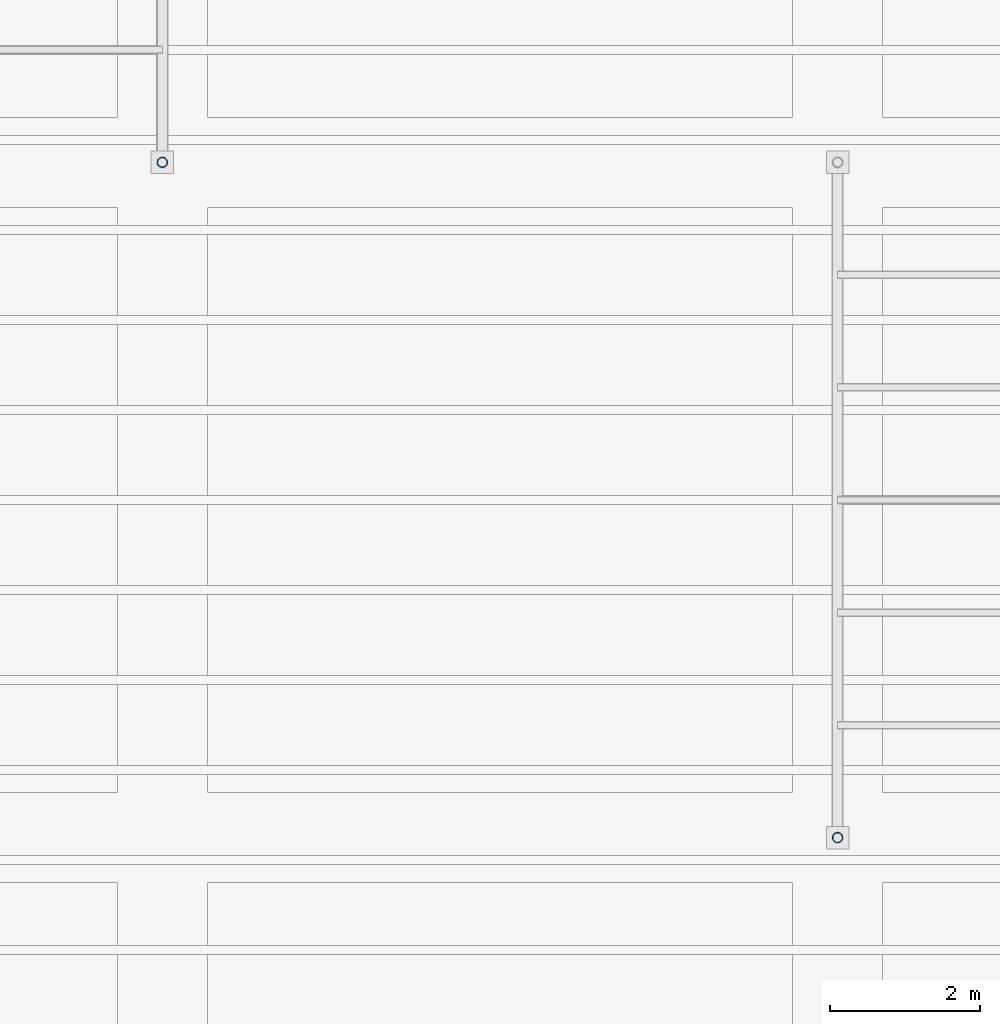
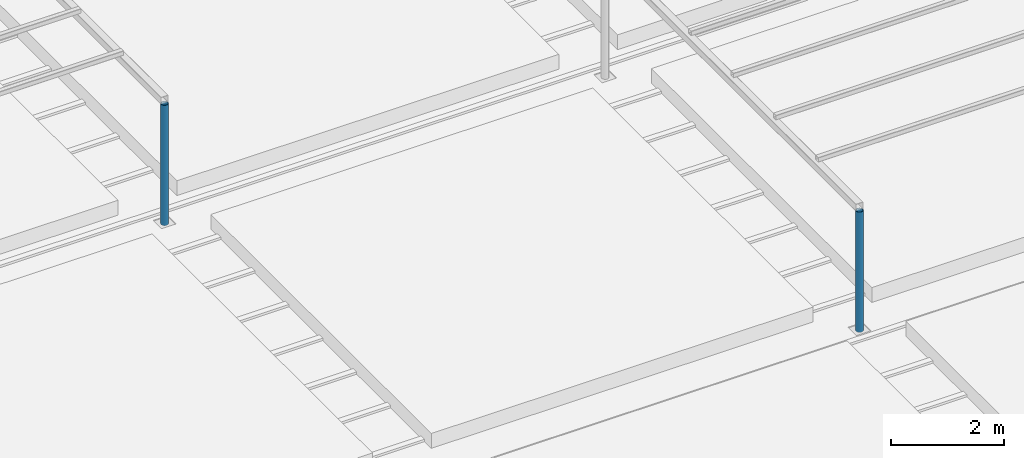
# One storey, part 9 of 153: 2 columns.
"""IFC4 building model written with IfcOpenShell, lengths in metres."""

import ifcopenshell
import ifcopenshell.guid

model = None  # the IFC model being written
_history = None  # IfcOwnerHistory: only IFC2X3 demands one
_inside = {}  # id of a spatial element -> (the spatial element, [elements in it])
_under = {}  # id of a project, library or spatial element -> (it, [spatial elements below it])
_declared = {}  # id of a project -> (the project, [libraries it declares])
_typed = {}  # id of a type object -> (the type object, [elements of that type])
_made_of = {}  # id of a material, layer set ... -> (it, [elements and type objects made of it])


def new_model(schema):
    """Start an empty IFC model of exactly this schema.

    Asked for "IFC4X3", IfcOpenShell would pick the latest addendum, in which some entities
    have other attributes; the version numbers below select the first issue.
    IFC2X3 requires an IfcOwnerHistory on every rooted entity: one is made here for all.
    """
    global model, _history
    if schema == "IFC4X3":
        model = ifcopenshell.file(schema_version=(4, 3, 0, 0))
    else:
        model = ifcopenshell.file(schema=schema)
    _inside.clear()
    _under.clear()
    _declared.clear()
    _typed.clear()
    _made_of.clear()
    _history = None
    if model.schema == "IFC2X3":
        org = make("IfcOrganization", Name="unknown")
        user = make(
            "IfcPersonAndOrganization",
            ThePerson=make("IfcPerson", FamilyName="unknown"),
            TheOrganization=org,
        )
        app = make(
            "IfcApplication",
            ApplicationDeveloper=org,
            Version="unknown",
            ApplicationFullName="unknown",
            ApplicationIdentifier="unknown",
        )
        _history = make(
            "IfcOwnerHistory",
            OwningUser=user,
            OwningApplication=app,
            ChangeAction="ADDED",
            CreationDate=0,
        )
    return model


def make(cls, **values):
    """One entity of the class cls with the attributes given. An attribute that is None is left unset."""
    return model.create_entity(
        cls, **{name: value for name, value in values.items() if value is not None}
    )


def rooted(cls, **values):
    """An entity with a GlobalId (a new one), such as an element, a storey or a relation."""
    return make(cls, GlobalId=ifcopenshell.guid.new(), OwnerHistory=_history, **values)


def si_unit(unit_type, name, prefix=None):
    """IfcSIUnit, for example si_unit("LENGTHUNIT", "METRE", prefix="MILLI")."""
    return make("IfcSIUnit", UnitType=unit_type, Prefix=prefix, Name=name)


def assignment(units):
    """IfcUnitAssignment: the units of a project."""
    return None if units is None else make("IfcUnitAssignment", Units=units)


def point(xyz):
    """IfcCartesianPoint."""
    return None if xyz is None else make("IfcCartesianPoint", Coordinates=xyz)


def direction(xyz):
    """IfcDirection."""
    return None if xyz is None else make("IfcDirection", DirectionRatios=xyz)


def frame(location, z_axis=None, x_axis=None):
    """IfcAxis2Placement3D, a coordinate frame: its origin and axes. An axis left out is left unset."""
    return make(
        "IfcAxis2Placement3D",
        Location=point(location),
        Axis=direction(z_axis),
        RefDirection=direction(x_axis),
    )


def frame_2d(location, x_axis=None):
    """IfcAxis2Placement2D, a coordinate frame in the plane: its origin and x axis."""
    return make(
        "IfcAxis2Placement2D", Location=point(location), RefDirection=direction(x_axis)
    )


def origin():
    """The frame at (0, 0, 0) with its axes left unset."""
    return frame((0.0, 0.0, 0.0))


def origin_2d():
    """The frame at (0, 0) in the plane with its x axis left unset."""
    return frame_2d((0.0, 0.0))


def place(relative_to, where):
    """IfcLocalPlacement: puts the frame where relative to a parent placement (None: the world)."""
    return make(
        "IfcLocalPlacement", PlacementRelTo=relative_to, RelativePlacement=where
    )


def context(
    kind, dimensions, precision=None, world=None, true_north=None, identifier=None
):
    """IfcGeometricRepresentationContext, for example the 3D "Model" context."""
    return make(
        "IfcGeometricRepresentationContext",
        ContextIdentifier=identifier,
        ContextType=kind,
        CoordinateSpaceDimension=dimensions,
        Precision=precision,
        WorldCoordinateSystem=world,
        TrueNorth=true_north,
    )


def subcontext(parent, identifier, kind, view, scale=None):
    """IfcGeometricRepresentationSubContext, for example "Body" below "Model"."""
    return make(
        "IfcGeometricRepresentationSubContext",
        ContextIdentifier=identifier,
        ContextType=kind,
        ParentContext=parent,
        TargetScale=scale,
        TargetView=view,
    )


def project(units=None, contexts=None):
    """IfcProject with its units and contexts."""
    return rooted(
        "IfcProject",
        Name="project",
        RepresentationContexts=contexts,
        UnitsInContext=assignment(units),
    )


def spatial(cls, under=None, at=None, **own):
    """A site, building, storey or space (cls), placed at a placement, below another one or the project."""
    s = rooted(cls, ObjectPlacement=at, **own)
    if under is not None:
        _under.setdefault(under.id(), (under, []))[1].append(s)
    return s


def profile(cls, at=None, kind="AREA", **sizes):
    """A parametric profile (cls). Its sizes go by their IFC names, for example OverallWidth=200.0."""
    return make(cls, ProfileType=kind, Position=at, **sizes)


def hollow_circle(**sizes):
    """IfcCircleHollowProfileDef."""
    return profile("IfcCircleHollowProfileDef", **sizes)


def extrude(swept, where, along, depth):
    """IfcExtrudedAreaSolid: the profile swept, set in the frame where, extruded along a direction by depth."""
    return make(
        "IfcExtrudedAreaSolid",
        SweptArea=swept,
        Position=where,
        ExtrudedDirection=direction(along),
        Depth=depth,
    )


def shape(context_of_items, identifier, shape_type, items):
    """IfcShapeRepresentation: the items that make up one representation, for example the "Body"."""
    return make(
        "IfcShapeRepresentation",
        ContextOfItems=context_of_items,
        RepresentationIdentifier=identifier,
        RepresentationType=shape_type,
        Items=items,
    )


def material(Name=None, Category=None):
    """IfcMaterial."""
    return make("IfcMaterial", Name=Name, Category=Category)


def material_profile(
    of_material, cross_section, Name=None, Category=None, Priority=None
):
    """IfcMaterialProfile: a cross section and its material."""
    return make(
        "IfcMaterialProfile",
        Name=Name,
        Material=of_material,
        Profile=cross_section,
        Priority=Priority,
        Category=Category,
    )


def profile_set(profiles, Name=None, composite=None):
    """IfcMaterialProfileSet."""
    return make(
        "IfcMaterialProfileSet",
        Name=Name,
        MaterialProfiles=profiles,
        CompositeProfile=composite,
    )


def made_of(thing, what):
    """Note that an element or type object is made of a material, layer set ...; save() writes the relation."""
    if what is not None:
        _made_of.setdefault(what.id(), (what, []))[1].append(thing)
    return thing


def type_object(cls, material=None, **own):
    """A type object (cls), such as IfcWallType, which elements share."""
    return made_of(rooted(cls, **own), material)


def element(
    cls,
    number,
    at=None,
    inside=None,
    cuts=None,
    type_object=None,
    material=None,
    context=None,
    identifier="Body",
    shape_type=None,
    held_by="IfcProductDefinitionShape",
    body=None,
    shapes=None,
    **own,
):
    """One element of the class cls, such as IfcWall. Its Tag is "e" and its number.

    at: its placement. inside: the storey or other place that contains it. cuts: it is an
    opening in that element (IfcRelVoidsElement). A single representation is given by context,
    identifier, shape_type and body (its items); several are given by shapes. held_by: the class
    of the entity that holds the representations. save() writes the other relations.
    """
    e = rooted(cls, Tag="e%d" % number, ObjectPlacement=at, **own)
    if body is not None:
        shapes = [shape(context, identifier, shape_type, body)]
    if shapes is not None:
        e.Representation = make(held_by, Representations=shapes)
    if inside is not None:
        _inside.setdefault(inside.id(), (inside, []))[1].append(e)
    if cuts is not None:
        rooted(
            "IfcRelVoidsElement", RelatingBuildingElement=cuts, RelatedOpeningElement=e
        )
    if type_object is not None:
        _typed.setdefault(type_object.id(), (type_object, []))[1].append(e)
    return made_of(e, material)


def aggregate(whole, parts):
    """IfcRelAggregates: a whole, such as a stair, and the parts it consists of."""
    return rooted("IfcRelAggregates", RelatingObject=whole, RelatedObjects=parts)


def save(model, path):
    """Write the relations noted so far, then the file.

    IfcRelAggregates (storeys below a building ...), IfcRelContainedInSpatialStructure (elements
    in a storey), IfcRelDefinesByType, IfcRelAssociatesMaterial and IfcRelDeclares: one each for
    every whole, place, type object, material and project.
    """
    for whole, parts in _under.values():
        aggregate(whole, parts)
    for where, things in _inside.values():
        rooted(
            "IfcRelContainedInSpatialStructure",
            RelatedElements=things,
            RelatingStructure=where,
        )
    for kind, things in _typed.values():
        rooted("IfcRelDefinesByType", RelatedObjects=things, RelatingType=kind)
    for what, things in _made_of.values():
        rooted("IfcRelAssociatesMaterial", RelatedObjects=things, RelatingMaterial=what)
    for by, libraries in _declared.values():
        rooted("IfcRelDeclares", RelatingContext=by, RelatedDefinitions=libraries)
    model.write(path)


model = new_model("IFC4")

# Units and contexts
model_context = context("Model", 3, precision=1e-05, world=origin(), true_north=direction((0.0, 1.0)))
body_context = subcontext(model_context, "Body", "Model", "MODEL_VIEW")
ifc_project = project(units=[si_unit("LENGTHUNIT", "METRE"), si_unit("AREAUNIT", "SQUARE_METRE"), si_unit("VOLUMEUNIT", "CUBIC_METRE"), si_unit("PLANEANGLEUNIT", "RADIAN"), si_unit("MASSUNIT", "GRAM", prefix="KILO")], contexts=[model_context])

# Site, building, storey
site_placement = place(None, origin())
site = spatial("IfcSite", under=ifc_project, at=site_placement, CompositionType="ELEMENT")
building_placement = place(site_placement, origin())
building = spatial("IfcBuilding", under=site, at=building_placement, Name="Baradari Gate Terminus", CompositionType="ELEMENT")
storey_placement = place(building_placement, frame((0.0, 0.0, 11.699951171875)))
storey = spatial("IfcBuildingStorey", under=building, at=storey_placement, Name="L02", CompositionType="ELEMENT", Elevation=11.699951171875)

# Columns
ifc_material = material(Name="Steel S355", Category="steel")
ifc_material_profile = material_profile(ifc_material, hollow_circle(Radius=0.06982421875, WallThickness=0.008056640625, at=origin_2d()), Name="CHS 139.7x8")
ifc_profile_set = profile_set([ifc_material_profile], Name="Steel S355")
column_type = type_object("IfcColumnType", Name="Pergola post CHS 139.7x8", PredefinedType="COLUMN", material=ifc_profile_set)
for number, where, z_axis, x_axis, name in (
    (1, (99.0, 99.0, 0.0), (0.0, 0.0, 1.0), (1.0, 0.0, 0.0), "RF/L02/PGW2-PGC2"),
    (2, (108.0, 90.0, 0.0), (0.0, 0.0, 1.0), (1.0, 0.0, 0.0), "RF/L02/PGW3-PGC1"),
):
    element("IfcColumn", number, at=place(storey_placement, frame(where, z_axis=z_axis, x_axis=x_axis)), inside=storey, type_object=column_type, Name=name, PredefinedType="COLUMN", context=body_context, shape_type="SweptSolid", body=[
        extrude(hollow_circle(Radius=0.06982421875, WallThickness=0.008056640625, at=origin_2d()), origin(), (0.0, 0.0, 1.0), 2.60009765625),
    ])

save(model, "model.ifc")
